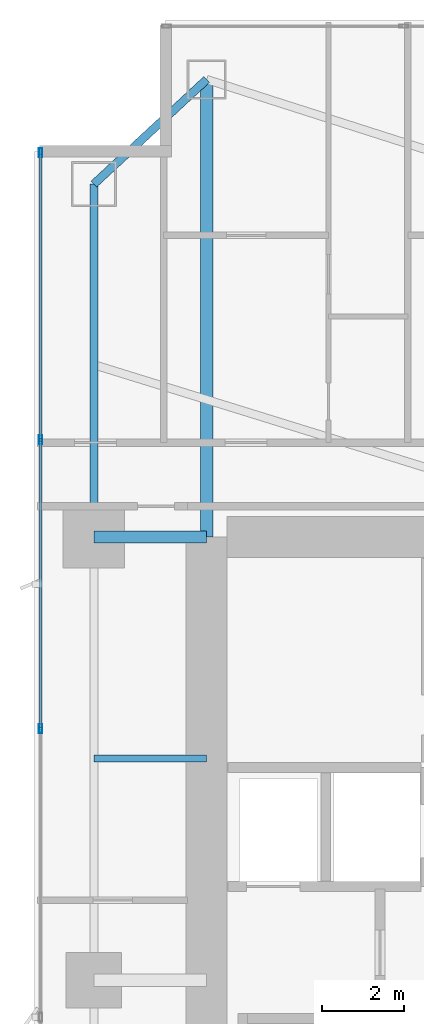
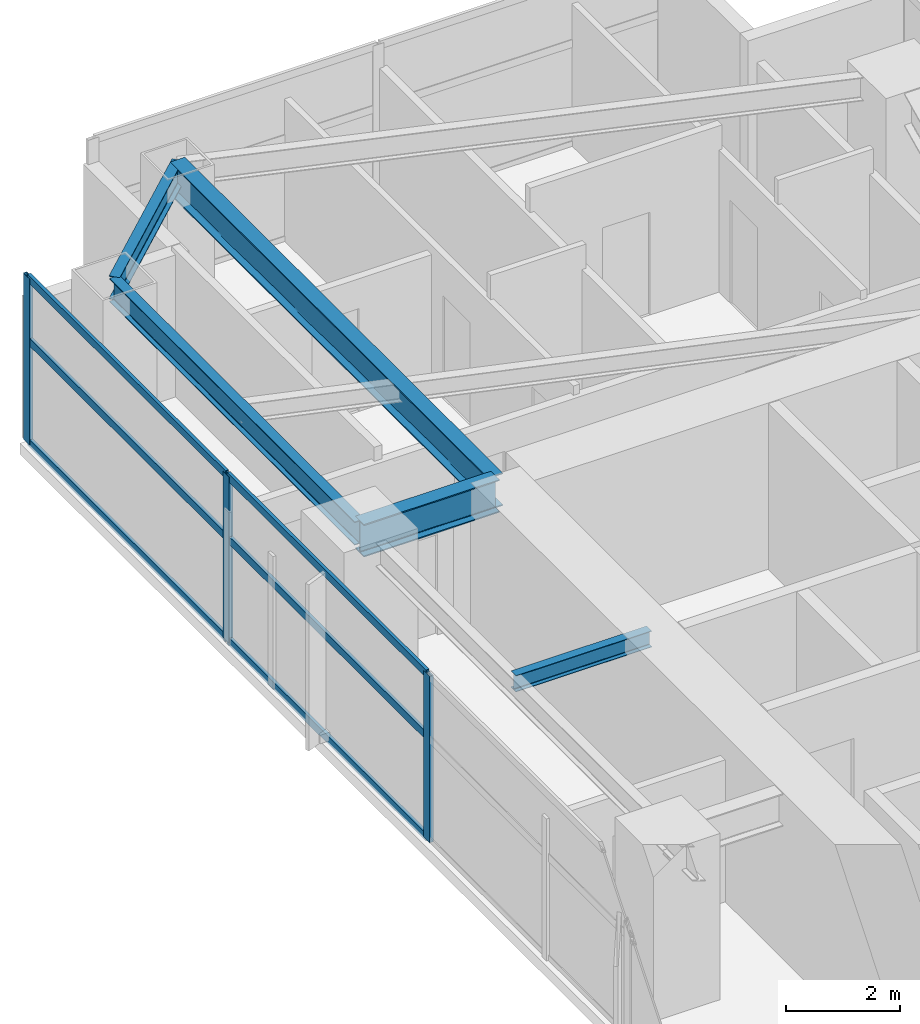
# One storey, part 16 of 29: 9 members, 5 beams, 1 element without a shape of its own.
"""IFC4 building model written with IfcOpenShell, lengths in metres."""

from ifc_helpers import new_model, si_unit, direction, frame, origin, origin_2d, place, context, subcontext, project, spatial, hollow_rectangle, i_section, extrude, material, layer, layer_set, material_profile, profile_set, type_object, element, aggregate, save


model = new_model("IFC4")

# Units and contexts
model_context = context("Model", 3, precision=1e-05, world=origin(), true_north=direction((0.0, 1.0)))
body_context = subcontext(model_context, "Body", "Model", "MODEL_VIEW")
ifc_project = project(units=[si_unit("LENGTHUNIT", "METRE"), si_unit("AREAUNIT", "SQUARE_METRE"), si_unit("VOLUMEUNIT", "CUBIC_METRE"), si_unit("PLANEANGLEUNIT", "RADIAN"), si_unit("MASSUNIT", "GRAM", prefix="KILO")], contexts=[model_context])

# Site, building, storey
site_placement = place(None, origin())
site = spatial("IfcSite", under=ifc_project, at=site_placement, CompositionType="ELEMENT")
building_placement = place(site_placement, origin())
building = spatial("IfcBuilding", under=site, at=building_placement, Name="Calvorn Quay Hotel", CompositionType="ELEMENT")
storey_placement = place(building_placement, frame((0.0, 0.0, 58.39990234375)))
storey = spatial("IfcBuildingStorey", under=building, at=storey_placement, Name="L13", CompositionType="ELEMENT", Elevation=58.39990234375)

# Beams
ifc_material_1 = material(Name="Steel Q390GJC", Category="steel")
ifc_material_profile_1 = material_profile(ifc_material_1, i_section(OverallWidth=0.300048828125, OverallDepth=0.699951171875, WebThickness=0.012939453125, FlangeThickness=0.02392578125, FilletRadius=0.02392578125, at=origin_2d()), Name="HN700x300x13x24")
ifc_profile_set_1 = profile_set([ifc_material_profile_1], Name="Steel Q390GJC")
beam_type_1 = type_object("IfcBeamType", Name="BM-GIRD-MAIN", PredefinedType="BEAM", material=ifc_profile_set_1)
beam_1_placement = place(storey_placement, frame((1.449951171875, 38.39990234375, 3.190185546875), z_axis=(1.0, 0.0, 0.0), x_axis=(0.0, 1.0, 0.0)))
element("IfcBeam", 1, at=beam_1_placement, inside=storey, type_object=beam_type_1, Name="Beam BG-L13-W3", PredefinedType="BEAM", context=body_context, shape_type="SweptSolid", body=[
    extrude(i_section(OverallWidth=0.300048828125, OverallDepth=0.699951171875, WebThickness=0.012939453125, FlangeThickness=0.02392578125, FilletRadius=0.02392578125, at=origin_2d()), origin(), (0.0, 0.0, 1.0), 2.75),
])
beam_2_placement = place(storey_placement, frame((4.199951171875, 49.550048828125, 3.190185546875), z_axis=(0.0, -1.0, 0.0), x_axis=(1.0, 0.0, 0.0)))
element("IfcBeam", 2, at=beam_2_placement, inside=storey, type_object=beam_type_1, Name="Beam BG-L13-W5", PredefinedType="BEAM", context=body_context, shape_type="SweptSolid", body=[
    extrude(i_section(OverallWidth=0.300048828125, OverallDepth=0.699951171875, WebThickness=0.012939453125, FlangeThickness=0.02392578125, FilletRadius=0.02392578125, at=origin_2d()), origin(), (0.0, 0.0, 1.0), 11.150146484375),
])
ifc_material_2 = material(Name="Steel Q355B", Category="steel")
ifc_material_profile_2 = material_profile(ifc_material_2, i_section(OverallWidth=0.175048828125, OverallDepth=0.35009765625, WebThickness=0.007080078125, FlangeThickness=0.010986328125, FilletRadius=0.013916015625, at=origin_2d()), Name="HN350x175x7x11")
ifc_profile_set_2 = profile_set([ifc_material_profile_2], Name="Steel Q355B")
beam_type_2 = type_object("IfcBeamType", Name="BM-JOIST-SEC", PredefinedType="JOIST", material=ifc_profile_set_2)
beam_3_placement = place(storey_placement, frame((1.449951171875, 33.0, 3.364990234375), z_axis=(1.0, 0.0, 0.0), x_axis=(0.0, 1.0, 0.0)))
element("IfcBeam", 3, at=beam_3_placement, inside=storey, type_object=beam_type_2, Name="Beam BJ-L13-W4", PredefinedType="JOIST", context=body_context, shape_type="SweptSolid", body=[
    extrude(i_section(OverallWidth=0.175048828125, OverallDepth=0.35009765625, WebThickness=0.007080078125, FlangeThickness=0.010986328125, FilletRadius=0.013916015625, at=origin_2d()), origin(), (0.0, 0.0, 1.0), 2.75),
])
ifc_material_3 = material(Name="Steel Q355B", Category="steel")
ifc_material_profile_3 = material_profile(ifc_material_3, i_section(OverallWidth=0.199951171875, OverallDepth=0.5, WebThickness=0.010009765625, FlangeThickness=0.01611328125, FilletRadius=0.01611328125, at=origin_2d()), Name="HN500x200x10x16")
ifc_profile_set_3 = profile_set([ifc_material_profile_3], Name="Steel Q355B")
beam_type_3 = type_object("IfcBeamType", Name="BM-SPANDREL-Z1", PredefinedType="SPANDREL", material=ifc_profile_set_3)
beam_4_placement = place(storey_placement, frame((1.449951171875, 38.39990234375, 3.2900390625), z_axis=(0.0, 1.0, 0.0), x_axis=(-1.0, 0.0, 0.0)))
element("IfcBeam", 4, at=beam_4_placement, inside=storey, type_object=beam_type_3, Name="Beam BSP-L13-W4", PredefinedType="SPANDREL", context=body_context, shape_type="SweptSolid", body=[
    extrude(i_section(OverallWidth=0.199951171875, OverallDepth=0.5, WebThickness=0.010009765625, FlangeThickness=0.01611328125, FilletRadius=0.01611328125, at=origin_2d()), origin(), (0.0, 0.0, 1.0), 8.60009765625),
])
beam_5_placement = place(storey_placement, frame((1.449951171875, 47.0, 3.2900390625), z_axis=(0.733261665538, 0.679946563969, 0.0), x_axis=(-0.679946563969, 0.733261665538, 0.0)))
element("IfcBeam", 5, at=beam_5_placement, inside=storey, type_object=beam_type_3, Name="Beam BSP-L13-W5", PredefinedType="SPANDREL", context=body_context, shape_type="SweptSolid", body=[
    extrude(i_section(OverallWidth=0.199951171875, OverallDepth=0.5, WebThickness=0.010009765625, FlangeThickness=0.01611328125, FilletRadius=0.01611328125, at=origin_2d()), origin(), (0.0, 0.0, 1.0), 3.75048828125),
])

# Curtain wall, members
ifc_material_4 = material(Name="Pale Anodised Aluminium and Low-E Glass", Category="aluminium")
ifc_layer = layer(ifc_material_4, 0.219970703125)
ifc_layer_set = layer_set([ifc_layer], Name="CW-SYS-Z1")
curtain_wall_type = type_object("IfcCurtainWallType", Name="CW-SYS-Z1", PredefinedType="NOTDEFINED", material=ifc_layer_set)
curtain_wall_placement = place(storey_placement, origin())
curtain_wall = element("IfcCurtainWall", 6, at=curtain_wall_placement, inside=storey, type_object=curtain_wall_type, Name="Tower West Curtain Wall (L13)", PredefinedType="NOTDEFINED")
ifc_material_5 = material(Name="Pale Anodised Aluminium 6063-T6", Category="aluminium")
ifc_material_profile_4 = material_profile(ifc_material_5, hollow_rectangle(XDim=0.074951171875, YDim=0.219970703125, WallThickness=0.00439453125, at=origin_2d()), Name="ALU-M220x75x4.5")
ifc_profile_set_4 = profile_set([ifc_material_profile_4], Name="Pale Anodised Aluminium 6063-T6")
member_type_1 = type_object("IfcMemberType", Name="CW-SYS-Z1-MUL", PredefinedType="MULLION", material=ifc_profile_set_4)
member_1_placement = place(storey_placement, frame((0.14990234375, 33.7333984375, 0.0), z_axis=(0.0, 0.0, 1.0), x_axis=(-1.0, 0.0, 0.0)))
member_1 = element("IfcMember", 7, at=member_1_placement, type_object=member_type_1, Name="CW-L13-W mullion 5", PredefinedType="MULLION", context=body_context, shape_type="SweptSolid", body=[
    extrude(hollow_rectangle(XDim=0.074951171875, YDim=0.219970703125, WallThickness=0.00439453125, at=origin_2d()), origin(), (0.0, 0.0, 1.0), 3.56005859375),
])
member_2_placement = place(storey_placement, frame((0.14990234375, 40.7666015625, 0.0), z_axis=(0.0, 0.0, 1.0), x_axis=(-1.0, 0.0, 0.0)))
member_2 = element("IfcMember", 8, at=member_2_placement, type_object=member_type_1, Name="CW-L13-W mullion 6", PredefinedType="MULLION", context=body_context, shape_type="SweptSolid", body=[
    extrude(hollow_rectangle(XDim=0.074951171875, YDim=0.219970703125, WallThickness=0.00439453125, at=origin_2d()), origin(), (0.0, 0.0, 1.0), 3.56005859375),
])
member_3_placement = place(storey_placement, frame((0.14990234375, 47.77001953125, 0.0), z_axis=(0.0, 0.0, 1.0), x_axis=(-1.0, 0.0, 0.0)))
member_3 = element("IfcMember", 9, at=member_3_placement, type_object=member_type_1, Name="CW-L13-W mullion 7", PredefinedType="MULLION", context=body_context, shape_type="SweptSolid", body=[
    extrude(hollow_rectangle(XDim=0.074951171875, YDim=0.219970703125, WallThickness=0.00439453125, at=origin_2d()), origin(), (0.0, 0.0, 1.0), 3.56005859375),
])
ifc_material_6 = material(Name="Pale Anodised Aluminium 6063-T6", Category="aluminium")
ifc_material_profile_5 = material_profile(ifc_material_6, hollow_rectangle(XDim=0.06494140625, YDim=0.1650390625, WallThickness=0.00341796875, at=origin_2d()), Name="ALU-T165x65x3.5")
ifc_profile_set_5 = profile_set([ifc_material_profile_5], Name="Pale Anodised Aluminium 6063-T6")
member_type_2 = type_object("IfcMemberType", Name="CW-SYS-Z1-TRN", PredefinedType="USERDEFINED", material=ifc_profile_set_5)
member_4_placement = place(storey_placement, frame((0.14990234375, 33.763427734375, 0.030029296875), z_axis=(0.0, 1.0, 0.0), x_axis=(-1.0, 0.0, 0.0)))
member_4 = element("IfcMember", 10, at=member_4_placement, type_object=member_type_2, Name="CW-L13-W transom 5.1", ObjectType="TRANSOM", PredefinedType="USERDEFINED", context=body_context, shape_type="SweptSolid", body=[
    extrude(hollow_rectangle(XDim=0.06494140625, YDim=0.1650390625, WallThickness=0.00341796875, at=origin_2d()), origin(), (0.0, 0.0, 1.0), 6.97314453125),
])
member_5_placement = place(storey_placement, frame((0.14990234375, 33.763427734375, 2.2001953125), z_axis=(0.0, 1.0, 0.0), x_axis=(-1.0, 0.0, 0.0)))
member_5 = element("IfcMember", 11, at=member_5_placement, type_object=member_type_2, Name="CW-L13-W transom 5.2", ObjectType="TRANSOM", PredefinedType="USERDEFINED", context=body_context, shape_type="SweptSolid", body=[
    extrude(hollow_rectangle(XDim=0.06494140625, YDim=0.1650390625, WallThickness=0.00341796875, at=origin_2d()), origin(), (0.0, 0.0, 1.0), 6.97314453125),
])
member_6_placement = place(storey_placement, frame((0.14990234375, 33.763427734375, 3.530029296875), z_axis=(0.0, 1.0, 0.0), x_axis=(-1.0, 0.0, 0.0)))
member_6 = element("IfcMember", 12, at=member_6_placement, type_object=member_type_2, Name="CW-L13-W transom 5.3", ObjectType="TRANSOM", PredefinedType="USERDEFINED", context=body_context, shape_type="SweptSolid", body=[
    extrude(hollow_rectangle(XDim=0.06494140625, YDim=0.1650390625, WallThickness=0.00341796875, at=origin_2d()), origin(), (0.0, 0.0, 1.0), 6.97314453125),
])
member_7_placement = place(storey_placement, frame((0.14990234375, 40.796630859375, 0.030029296875), z_axis=(0.0, 1.0, 0.0), x_axis=(-1.0, 0.0, 0.0)))
member_7 = element("IfcMember", 13, at=member_7_placement, type_object=member_type_2, Name="CW-L13-W transom 6.1", ObjectType="TRANSOM", PredefinedType="USERDEFINED", context=body_context, shape_type="SweptSolid", body=[
    extrude(hollow_rectangle(XDim=0.06494140625, YDim=0.1650390625, WallThickness=0.00341796875, at=origin_2d()), origin(), (0.0, 0.0, 1.0), 6.943359375),
])
member_8_placement = place(storey_placement, frame((0.14990234375, 40.796630859375, 2.2001953125), z_axis=(0.0, 1.0, 0.0), x_axis=(-1.0, 0.0, 0.0)))
member_8 = element("IfcMember", 14, at=member_8_placement, type_object=member_type_2, Name="CW-L13-W transom 6.2", ObjectType="TRANSOM", PredefinedType="USERDEFINED", context=body_context, shape_type="SweptSolid", body=[
    extrude(hollow_rectangle(XDim=0.06494140625, YDim=0.1650390625, WallThickness=0.00341796875, at=origin_2d()), origin(), (0.0, 0.0, 1.0), 6.943359375),
])
member_9_placement = place(storey_placement, frame((0.14990234375, 40.796630859375, 3.530029296875), z_axis=(0.0, 1.0, 0.0), x_axis=(-1.0, 0.0, 0.0)))
member_9 = element("IfcMember", 15, at=member_9_placement, type_object=member_type_2, Name="CW-L13-W transom 6.3", ObjectType="TRANSOM", PredefinedType="USERDEFINED", context=body_context, shape_type="SweptSolid", body=[
    extrude(hollow_rectangle(XDim=0.06494140625, YDim=0.1650390625, WallThickness=0.00341796875, at=origin_2d()), origin(), (0.0, 0.0, 1.0), 6.943359375),
])
aggregate(curtain_wall, [member_1, member_2, member_3, member_4, member_5, member_6, member_7, member_8, member_9])

save(model, "model.ifc")
